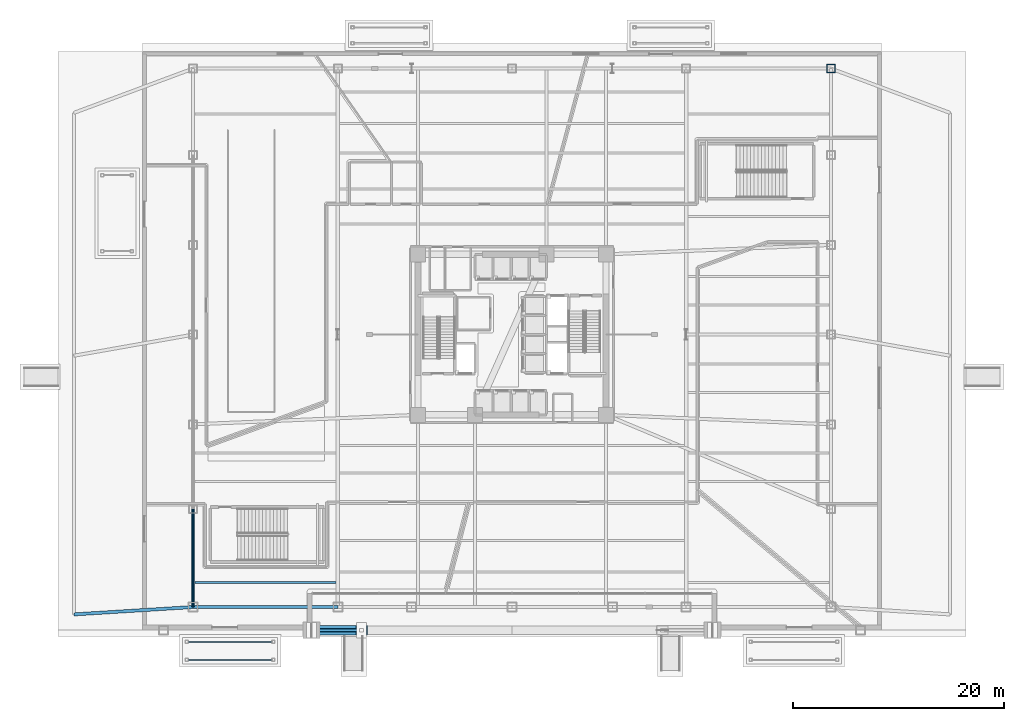
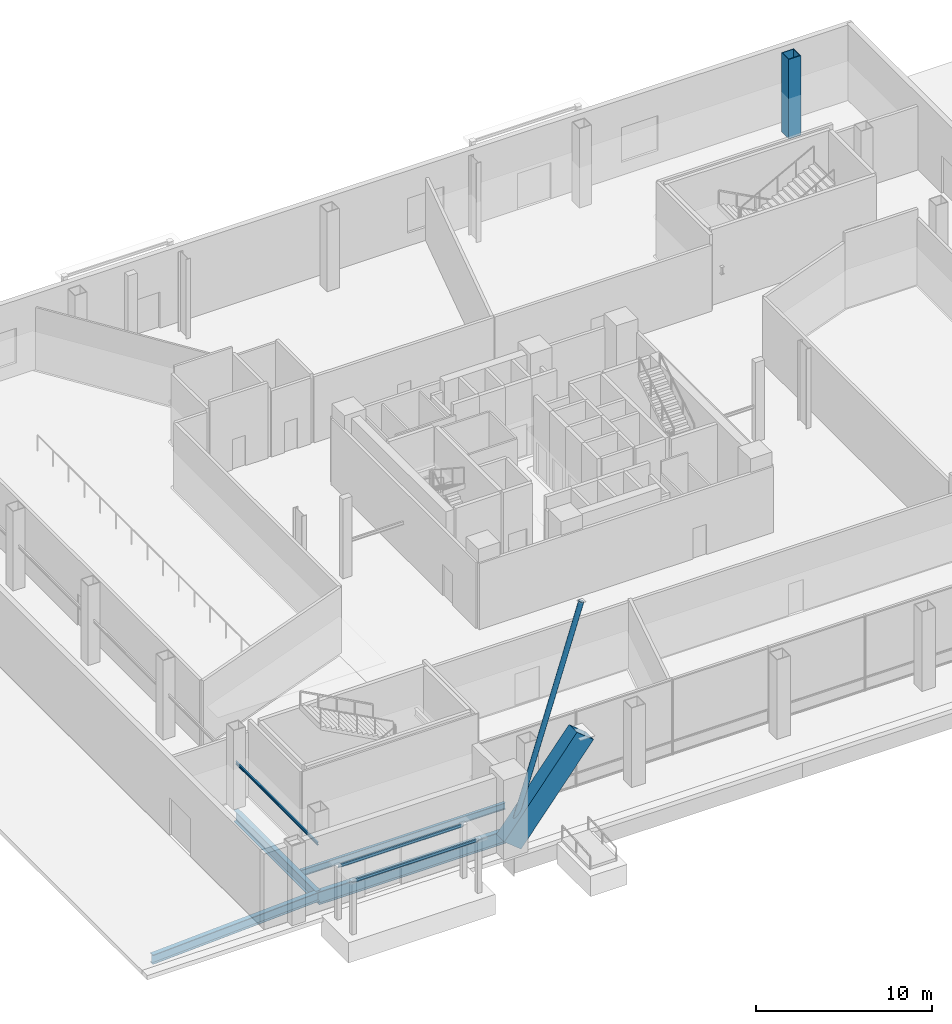
# One storey, part 7 of 27: 5 beams, 4 members, 1 column.
"""IFC4 building model written with IfcOpenShell, lengths in metres."""

from ifc_helpers import new_model, si_unit, direction, frame, origin, origin_2d, place, context, subcontext, project, spatial, hollow_rectangle, hollow_circle, i_section, extrude, material, material_profile, profile_set, type_object, element, save


model = new_model("IFC4")

# Units and contexts
model_context = context("Model", 3, precision=1e-05, world=origin(), true_north=direction((0.0, 1.0)))
body_context = subcontext(model_context, "Body", "Model", "MODEL_VIEW")
ifc_project = project(units=[si_unit("LENGTHUNIT", "METRE"), si_unit("AREAUNIT", "SQUARE_METRE"), si_unit("VOLUMEUNIT", "CUBIC_METRE"), si_unit("PLANEANGLEUNIT", "RADIAN"), si_unit("MASSUNIT", "GRAM", prefix="KILO")], contexts=[model_context])

# Site, building, storey
site_placement = place(None, origin())
site = spatial("IfcSite", under=ifc_project, at=site_placement, CompositionType="ELEMENT")
building_placement = place(site_placement, origin())
building = spatial("IfcBuilding", under=site, at=building_placement, Name="Tharavind Bronze Gate", CompositionType="ELEMENT")
storey_placement = place(building_placement, origin())
storey = spatial("IfcBuildingStorey", under=building, at=storey_placement, Name="L00", CompositionType="ELEMENT", Elevation=0.0)

# Column
ifc_material_1 = material(Name="Steel S460", Category="steel")
ifc_material_profile_1 = material_profile(ifc_material_1, hollow_rectangle(XDim=0.800048828125, YDim=0.800048828125, WallThickness=0.044921875, at=origin_2d()), Name="SHS800X45")
ifc_profile_set_1 = profile_set([ifc_material_profile_1], Name="Steel S460")
column_type = type_object("IfcColumnType", Name="PERIMETER BOX COLUMN SHS800", PredefinedType="COLUMN", material=ifc_profile_set_1)
column_placement = place(storey_placement, frame((30.199951171875, 25.199951171875, 0.0), z_axis=(0.0, 0.0, 1.0), x_axis=(1.0, 0.0, 0.0)))
element("IfcColumn", 1, at=column_placement, inside=storey, type_object=column_type, Name="L00 podium column PN70", PredefinedType="COLUMN", context=body_context, shape_type="SweptSolid", body=[
    extrude(hollow_rectangle(XDim=0.800048828125, YDim=0.800048828125, WallThickness=0.044921875, at=origin_2d()), origin(), (0.0, 0.0, 1.0), 5.5),
])

# Beam
ifc_material_profile_2 = material_profile(ifc_material_1, hollow_rectangle(XDim=0.89990234375, YDim=1.39990234375, WallThickness=0.054931640625, at=origin_2d()), Name="RHS1400X900X55")
ifc_profile_set_2 = profile_set([ifc_material_profile_2], Name="Steel S460")
beam_type_1 = type_object("IfcBeamType", Name="ARCH RIB GIRDER 1400X900", PredefinedType="USERDEFINED", material=ifc_profile_set_2)
beam_1_placement = place(storey_placement, frame((-19.0, -28.0, 0.5), z_axis=(0.625306290614, 0.0, 0.780379422409), x_axis=(0.0, 1.0, 0.0)))
element("IfcBeam", 2, at=beam_1_placement, inside=storey, type_object=beam_type_1, Name="Monumental bronze arch rib chord 1", ObjectType="GIRDER", PredefinedType="USERDEFINED", context=body_context, shape_type="SweptSolid", body=[
    extrude(hollow_rectangle(XDim=0.89990234375, YDim=1.39990234375, WallThickness=0.054931640625, at=origin_2d()), origin(), (0.0, 0.0, 1.0), 7.59619140625),
])

# Members
ifc_material_2 = material(Name="Steel S355", Category="steel")
ifc_material_profile_3 = material_profile(ifc_material_2, i_section(OverallWidth=0.10009765625, OverallDepth=0.199951171875, WebThickness=0.005615234375, FlangeThickness=0.008544921875, at=origin_2d()), Name="IPE200")
ifc_profile_set_3 = profile_set([ifc_material_profile_3], Name="Steel S355")
member_type_1 = type_object("IfcMemberType", Name="CANOPY ROOF PURLIN IPE200", PredefinedType="PURLIN", material=ifc_profile_set_3)
for number, where, z_axis, x_axis, name in (
    (3, (-30.800048828125, -30.800048828125, 3.60009765625), (1.0, 0.0, 0.0), (0.0, 1.0, 0.0), "L00 canopy purlin CN1.1"),
    (4, (-30.800048828125, -29.10009765625, 3.60009765625), (1.0, 0.0, 0.0), (0.0, 1.0, 0.0), "L00 canopy purlin CN1.2"),
):
    element("IfcMember", number, at=place(storey_placement, frame(where, z_axis=z_axis, x_axis=x_axis)), inside=storey, type_object=member_type_1, Name=name, PredefinedType="PURLIN", context=body_context, shape_type="SweptSolid", body=[
        extrude(i_section(OverallWidth=0.10009765625, OverallDepth=0.199951171875, WebThickness=0.005615234375, FlangeThickness=0.008544921875, at=origin_2d()), origin(), (0.0, 0.0, 1.0), 8.199951171875),
    ])
ifc_material_profile_4 = material_profile(ifc_material_1, hollow_circle(Radius=0.161865234375, WallThickness=0.01611328125, at=origin_2d()), Name="CHS323X16")
ifc_profile_set_4 = profile_set([ifc_material_profile_4], Name="Steel S460")
member_type_2 = type_object("IfcMemberType", Name="PODIUM ARCH BRACE CHS323", PredefinedType="BRACE", material=ifc_profile_set_4)
member_1_placement = place(storey_placement, frame((-19.0, -28.0, 0.5), z_axis=(0.302074907341, 0.0, 0.95328419181), x_axis=(0.0, 1.0, 0.0)))
element("IfcMember", 5, at=member_1_placement, inside=storey, type_object=member_type_2, Name="Monumental arch spandrel truss diagonal 1", PredefinedType="BRACE", context=body_context, shape_type="SweptSolid", body=[
    extrude(hollow_circle(Radius=0.161865234375, WallThickness=0.01611328125, at=origin_2d()), origin(), (0.0, 0.0, 1.0), 15.724609375),
])

# Beams
ifc_material_profile_5 = material_profile(ifc_material_2, i_section(OverallWidth=0.300048828125, OverallDepth=0.64990234375, WebThickness=0.01611328125, FlangeThickness=0.031005859375, at=origin_2d()), Name="HE650B")
ifc_profile_set_5 = profile_set([ifc_material_profile_5], Name="Steel S355")
beam_type_2 = type_object("IfcBeamType", Name="PRIMARY GIRDER HE650B", PredefinedType="USERDEFINED", material=ifc_profile_set_5)
beam_2_placement = place(storey_placement, frame((-41.5, -26.5, -0.625), z_axis=(0.998087077813, 0.061823823098, 0.0), x_axis=(-0.061823823098, 0.998087077813, 0.0)))
element("IfcBeam", 6, at=beam_2_placement, inside=storey, type_object=beam_type_2, Name="L00 primary girder he650b BM-L00-BWX8", ObjectType="GIRDER", PredefinedType="USERDEFINED", context=body_context, shape_type="SweptSolid", body=[
    extrude(i_section(OverallWidth=0.300048828125, OverallDepth=0.64990234375, WebThickness=0.01611328125, FlangeThickness=0.031005859375, at=origin_2d()), origin(), (0.0, 0.0, 1.0), 11.32177734375),
])
ifc_material_profile_6 = material_profile(ifc_material_2, i_section(OverallWidth=0.300048828125, OverallDepth=0.800048828125, WebThickness=0.017578125, FlangeThickness=0.032958984375, at=origin_2d()), Name="HE800B")
ifc_profile_set_6 = profile_set([ifc_material_profile_6], Name="Steel S355")
beam_type_3 = type_object("IfcBeamType", Name="RING GIRDER HE800B", PredefinedType="USERDEFINED", material=ifc_profile_set_6)
beam_3_placement = place(storey_placement, frame((-30.199951171875, -25.800048828125, -0.699951171875), z_axis=(0.0, 1.0, 0.0), x_axis=(-1.0, 0.0, 0.0)))
element("IfcBeam", 7, at=beam_3_placement, inside=storey, type_object=beam_type_3, Name="L00 ring girder he800b BM-L00-PW1", ObjectType="GIRDER", PredefinedType="USERDEFINED", context=body_context, shape_type="SweptSolid", body=[
    extrude(i_section(OverallWidth=0.300048828125, OverallDepth=0.800048828125, WebThickness=0.017578125, FlangeThickness=0.032958984375, at=origin_2d()), origin(), (0.0, 0.0, 1.0), 9.300048828125),
])
ifc_material_profile_7 = material_profile(ifc_material_2, i_section(OverallWidth=0.18994140625, OverallDepth=0.449951171875, WebThickness=0.009521484375, FlangeThickness=0.0146484375, at=origin_2d()), Name="IPE450")
ifc_profile_set_7 = profile_set([ifc_material_profile_7], Name="Steel S355")
beam_type_4 = type_object("IfcBeamType", Name="SECONDARY FLOOR JOIST IPE450", PredefinedType="JOIST", material=ifc_profile_set_7)
beam_4_placement = place(storey_placement, frame((-30.0400390625, -23.5, -0.52490234375), z_axis=(1.0, 0.0, 0.0), x_axis=(0.0, 1.0, 0.0)))
element("IfcBeam", 8, at=beam_4_placement, inside=storey, type_object=beam_type_4, Name="L00 secondary floor joist ipe450 BM-L00-JSWW1", PredefinedType="JOIST", context=body_context, shape_type="SweptSolid", body=[
    extrude(i_section(OverallWidth=0.18994140625, OverallDepth=0.449951171875, WebThickness=0.009521484375, FlangeThickness=0.0146484375, at=origin_2d()), origin(), (0.0, 0.0, 1.0), 13.387939453125),
])

# Member
ifc_material_3 = material(Name="Anodised Bronze Aluminium", Category="aluminium")
ifc_material_profile_8 = material_profile(ifc_material_3, i_section(OverallWidth=0.10009765625, OverallDepth=0.199951171875, WebThickness=0.005615234375, FlangeThickness=0.008544921875, at=origin_2d()), Name="IPE200")
ifc_profile_set_8 = profile_set([ifc_material_profile_8], Name="Anodised Bronze Aluminium")
member_type_3 = type_object("IfcMemberType", Name="SOLAR LOUVRE BLADE", PredefinedType="USERDEFINED", material=ifc_profile_set_8)
member_2_placement = place(storey_placement, frame((-30.199951171875, -25.800048828125, 2.949951171875), z_axis=(0.0, 1.0, 0.0), x_axis=(-1.0, 0.0, 0.0)))
element("IfcMember", 9, at=member_2_placement, inside=storey, type_object=member_type_3, Name="L00 west gallery solar louvre 1", ObjectType="SOLAR LOUVRE", PredefinedType="USERDEFINED", context=body_context, shape_type="SweptSolid", body=[
    extrude(i_section(OverallWidth=0.10009765625, OverallDepth=0.199951171875, WebThickness=0.005615234375, FlangeThickness=0.008544921875, at=origin_2d()), origin(), (0.0, 0.0, 1.0), 9.300048828125),
])

# Beam
ifc_material_profile_9 = material_profile(ifc_material_2, i_section(OverallWidth=0.300048828125, OverallDepth=0.89990234375, WebThickness=0.0185546875, FlangeThickness=0.034912109375, at=origin_2d()), Name="HE900B")
ifc_profile_set_9 = profile_set([ifc_material_profile_9], Name="Steel S355")
beam_type_5 = type_object("IfcBeamType", Name="SPANDREL RING BEAM HE900B", PredefinedType="SPANDREL", material=ifc_profile_set_9)
beam_5_placement = place(storey_placement, frame((-30.199951171875, -25.800048828125, -0.75), z_axis=(1.0, 0.0, 0.0), x_axis=(0.0, 1.0, 0.0)))
element("IfcBeam", 10, at=beam_5_placement, inside=storey, type_object=beam_type_5, Name="L00 spandrel ring beam he900b BM-L00-PS1", PredefinedType="SPANDREL", context=body_context, shape_type="SweptSolid", body=[
    extrude(i_section(OverallWidth=0.300048828125, OverallDepth=0.89990234375, WebThickness=0.0185546875, FlangeThickness=0.034912109375, at=origin_2d()), origin(), (0.0, 0.0, 1.0), 13.699951171875),
])

save(model, "model.ifc")
